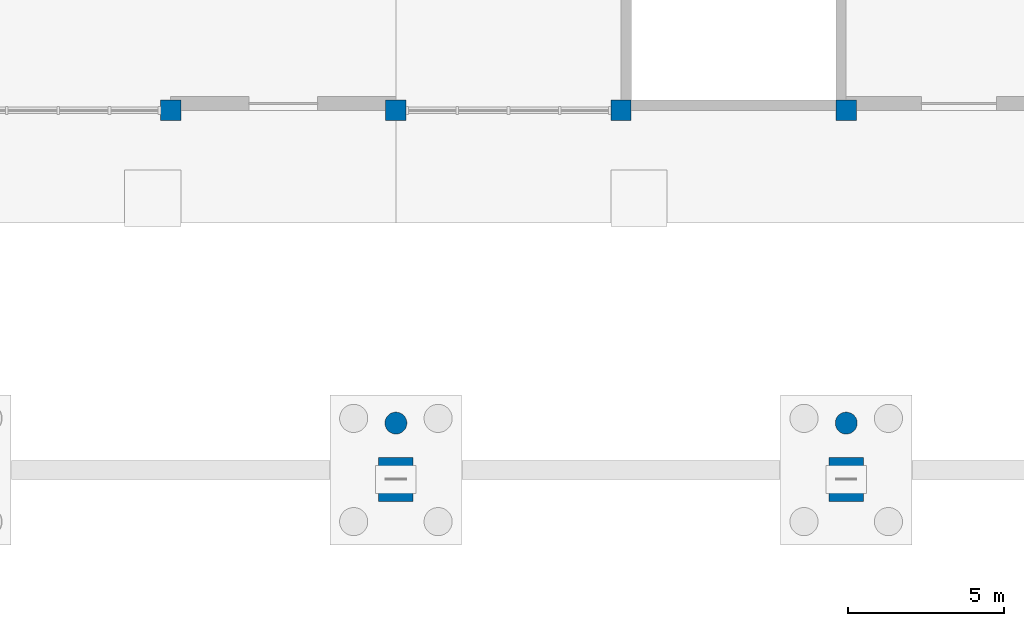
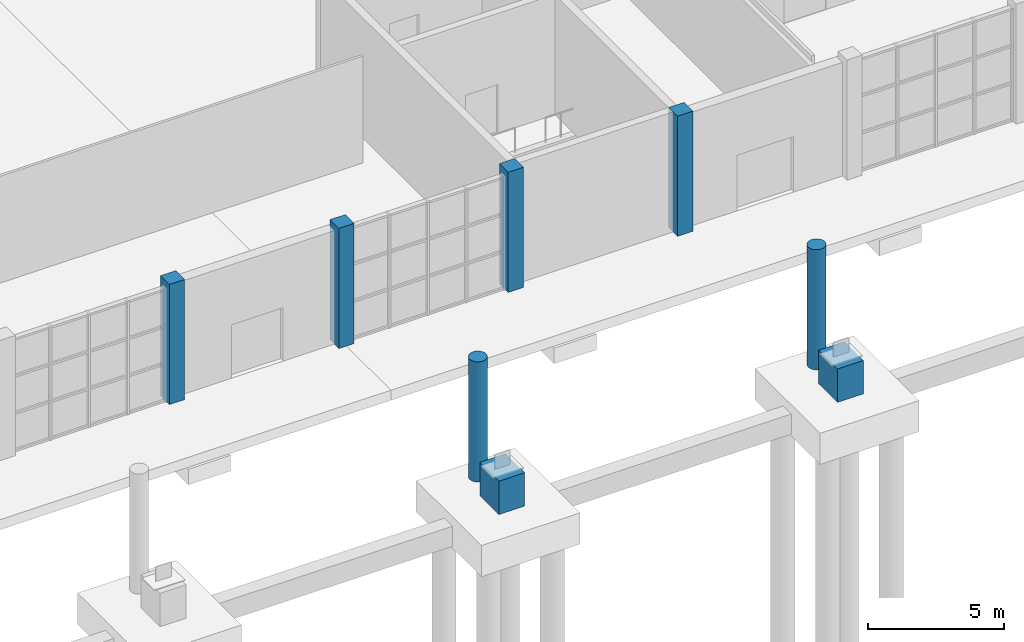
# One storey, part 6 of 75: 8 columns.
"""IFC4 building model written with IfcOpenShell, lengths in metres."""

from ifc_helpers import new_model, si_unit, direction, frame, origin, origin_2d, place, context, subcontext, project, spatial, rectangle, circle, extrude, material, material_profile, profile_set, type_object, element, save


model = new_model("IFC4")

# Units and contexts
model_context = context("Model", 3, precision=1e-05, world=origin(), true_north=direction((0.0, 1.0)))
body_context = subcontext(model_context, "Body", "Model", "MODEL_VIEW")
ifc_project = project(units=[si_unit("LENGTHUNIT", "METRE"), si_unit("AREAUNIT", "SQUARE_METRE"), si_unit("VOLUMEUNIT", "CUBIC_METRE"), si_unit("PLANEANGLEUNIT", "RADIAN"), si_unit("MASSUNIT", "GRAM", prefix="KILO")], contexts=[model_context])

# Site, building, storey
site_placement = place(None, origin())
site = spatial("IfcSite", under=ifc_project, at=site_placement, CompositionType="ELEMENT")
building_placement = place(site_placement, origin())
building = spatial("IfcBuilding", under=site, at=building_placement, Name="Leyfeld Transit Interchange", CompositionType="ELEMENT")
storey_placement = place(building_placement, origin())
storey = spatial("IfcBuildingStorey", under=building, at=storey_placement, Name="L00", CompositionType="ELEMENT", Elevation=0.0)

# Columns
ifc_material_1 = material(Name="Concrete C40/50", Category="concrete")
ifc_material_profile_1 = material_profile(ifc_material_1, rectangle(XDim=1.10009765625, YDim=1.39990234375, at=origin_2d()), Name="RC 1400x1100")
ifc_profile_set_1 = profile_set([ifc_material_profile_1], Name="Concrete C40/50")
column_type_1 = type_object("IfcColumnType", Name="COL-BUTT-1400", PredefinedType="COLUMN", material=ifc_profile_set_1)
for number, where, z_axis, x_axis, name in (
    (1, (43.199951171875, 2.60009765625, 0.0), (0.0, 0.0, 1.0), (1.0, 0.0, 0.0), "Column COL-L00-0432_0026"),
    (2, (57.60009765625, 2.60009765625, 0.0), (0.0, 0.0, 1.0), (1.0, 0.0, 0.0), "Column COL-L00-0576_0026"),
):
    element("IfcColumn", number, at=place(storey_placement, frame(where, z_axis=z_axis, x_axis=x_axis)), inside=storey, type_object=column_type_1, Name=name, PredefinedType="COLUMN", context=body_context, shape_type="SweptSolid", body=[
        extrude(rectangle(XDim=1.10009765625, YDim=1.39990234375, at=origin_2d()), origin(), (0.0, 0.0, 1.0), 1.5),
    ])
ifc_material_2 = material(Name="Concrete C35/45", Category="concrete")
ifc_material_profile_2 = material_profile(ifc_material_2, rectangle(XDim=0.64990234375, YDim=0.64990234375, at=origin_2d()), Name="RC 650x650")
ifc_profile_set_2 = profile_set([ifc_material_profile_2], Name="Concrete C35/45")
column_type_2 = type_object("IfcColumnType", Name="COL-RC-650", PredefinedType="COLUMN", material=ifc_profile_set_2)
for number, where, z_axis, x_axis, name in (
    (3, (36.0, 14.39990234375, 0.0), (0.0, 0.0, 1.0), (1.0, 0.0, 0.0), "Column COL-L00-0360_0144"),
    (4, (43.199951171875, 14.39990234375, 0.0), (0.0, 0.0, 1.0), (1.0, 0.0, 0.0), "Column COL-L00-0432_0144"),
    (5, (50.39990234375, 14.39990234375, 0.0), (0.0, 0.0, 1.0), (1.0, 0.0, 0.0), "Column COL-L00-0504_0144"),
    (6, (57.60009765625, 14.39990234375, 0.0), (0.0, 0.0, 1.0), (1.0, 0.0, 0.0), "Column COL-L00-0576_0144"),
):
    element("IfcColumn", number, at=place(storey_placement, frame(where, z_axis=z_axis, x_axis=x_axis)), inside=storey, type_object=column_type_2, Name=name, PredefinedType="COLUMN", context=body_context, shape_type="SweptSolid", body=[
        extrude(rectangle(XDim=0.64990234375, YDim=0.64990234375, at=origin_2d()), origin(), (0.0, 0.0, 1.0), 5.39990234375),
    ])
ifc_material_profile_3 = material_profile(ifc_material_2, circle(Radius=0.35009765625, at=origin_2d()), Name="RC D700")
ifc_profile_set_3 = profile_set([ifc_material_profile_3], Name="Concrete C35/45")
column_type_3 = type_object("IfcColumnType", Name="COL-RC-D700", PredefinedType="COLUMN", material=ifc_profile_set_3)
for number, where, z_axis, x_axis, name in (
    (7, (43.199951171875, 4.39990234375, 0.0), (0.0, 0.0, 1.0), (1.0, 0.0, 0.0), "Column COL-L00-0432_0044"),
    (8, (57.60009765625, 4.39990234375, 0.0), (0.0, 0.0, 1.0), (1.0, 0.0, 0.0), "Column COL-L00-0576_0044"),
):
    element("IfcColumn", number, at=place(storey_placement, frame(where, z_axis=z_axis, x_axis=x_axis)), inside=storey, type_object=column_type_3, Name=name, PredefinedType="COLUMN", context=body_context, shape_type="SweptSolid", body=[
        extrude(circle(Radius=0.35009765625, at=origin_2d()), origin(), (0.0, 0.0, 1.0), 5.39990234375),
    ])

save(model, "model.ifc")
